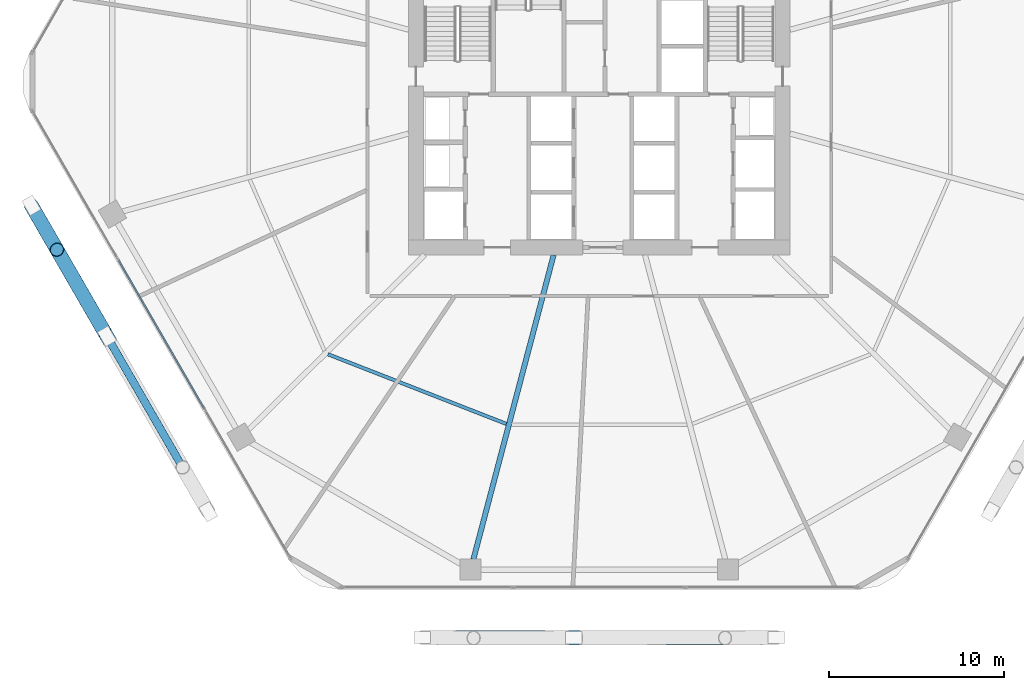
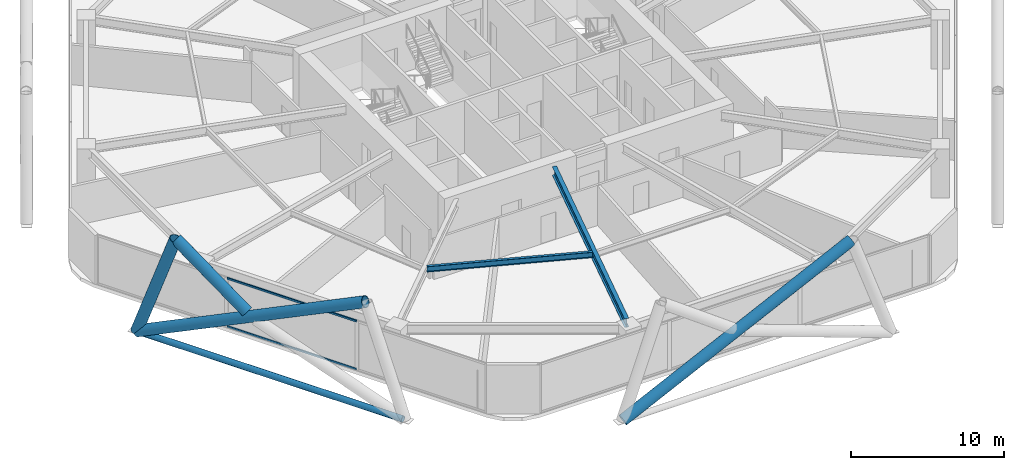
# One storey, part 4 of 29: 7 members, 2 beams, 1 element without a shape of its own.
"""IFC4 building model written with IfcOpenShell, lengths in metres."""

from ifc_helpers import new_model, si_unit, direction, frame, origin, origin_2d, place, context, subcontext, project, spatial, hollow_rectangle, hollow_circle, i_section, extrude, material, material_profile, profile_set, type_object, element, aggregate, save


model = new_model("IFC4")

# Units and contexts
model_context = context("Model", 3, precision=1e-05, world=origin(), true_north=direction((0.0, 1.0)))
body_context = subcontext(model_context, "Body", "Model", "MODEL_VIEW")
ifc_project = project(units=[si_unit("LENGTHUNIT", "METRE"), si_unit("AREAUNIT", "SQUARE_METRE"), si_unit("VOLUMEUNIT", "CUBIC_METRE"), si_unit("PLANEANGLEUNIT", "RADIAN"), si_unit("MASSUNIT", "GRAM", prefix="KILO")], contexts=[model_context])

# Site, building, storey
site_placement = place(None, origin())
site = spatial("IfcSite", under=ifc_project, at=site_placement, CompositionType="ELEMENT")
building_placement = place(site_placement, origin())
building = spatial("IfcBuilding", under=site, at=building_placement, Name="Zuhravey Tower", CompositionType="ELEMENT")
storey_placement = place(building_placement, frame((0.0, 0.0, 41.39990234375)))
storey = spatial("IfcBuildingStorey", under=building, at=storey_placement, Name="L10", CompositionType="ELEMENT", Elevation=41.39990234375)

# Curtain wall, members
ifc_material_1 = material(Name="Thermally broken anodised aluminium", Category="aluminium")
curtain_wall_type = type_object("IfcCurtainWallType", Name="School Low-E Unitised Curtain Wall CW1", PredefinedType="NOTDEFINED", material=ifc_material_1)
curtain_wall_placement = place(storey_placement, origin())
curtain_wall = element("IfcCurtainWall", 1, at=curtain_wall_placement, inside=storey, type_object=curtain_wall_type, Name="L10 CW1 CW-L10-F4-1", PredefinedType="NOTDEFINED")
ifc_material_2 = material(Name="Anodised aluminium", Category="aluminium")
ifc_material_profile_1 = material_profile(ifc_material_2, hollow_rectangle(XDim=0.090087890625, YDim=0.14990234375, WallThickness=0.0048828125, at=origin_2d()), Name="ALU-RHS-90x150x5")
ifc_profile_set_1 = profile_set([ifc_material_profile_1], Name="Anodised aluminium")
member_type_1 = type_object("IfcMemberType", Name="Curtain-Wall Transom 90x150", PredefinedType="USERDEFINED", material=ifc_profile_set_1)
member_1_placement = place(storey_placement, frame((13.365234375, 13.287353515625, 0.045166015625), z_axis=(-0.499990498062, 0.866030889661, 0.0), x_axis=(-0.866030889661, -0.499990498062, 0.0)))
member_1 = element("IfcMember", 2, at=member_1_placement, type_object=member_type_1, Name="CW1 transom 2.1", ObjectType="TRANSOM", PredefinedType="USERDEFINED", context=body_context, shape_type="SweptSolid", body=[
    extrude(hollow_rectangle(XDim=0.090087890625, YDim=0.14990234375, WallThickness=0.0048828125, at=origin_2d()), origin(), (0.0, 0.0, 1.0), 9.776611328125),
])
member_2_placement = place(storey_placement, frame((13.365234375, 13.287353515625, 3.875), z_axis=(-0.499990498062, 0.866030889661, 0.0), x_axis=(-0.866030889661, -0.499990498062, 0.0)))
member_2 = element("IfcMember", 3, at=member_2_placement, type_object=member_type_1, Name="CW1 transom 2.2", ObjectType="TRANSOM", PredefinedType="USERDEFINED", context=body_context, shape_type="SweptSolid", body=[
    extrude(hollow_rectangle(XDim=0.090087890625, YDim=0.14990234375, WallThickness=0.0048828125, at=origin_2d()), origin(), (0.0, 0.0, 1.0), 9.776611328125),
])
aggregate(curtain_wall, [member_1, member_2])

# Members
ifc_material_3 = material(Name="Steel SM355", Category="steel")
ifc_material_profile_2 = material_profile(ifc_material_3, hollow_circle(Radius=0.228515625, WallThickness=0.02197265625, at=origin_2d()), Name="CHS-457.2x22")
ifc_profile_set_2 = profile_set([ifc_material_profile_2], Name="Steel SM355")
member_type_2 = type_object("IfcMemberType", Name="Exoskeleton Ring Tie CHS457x22", PredefinedType="CHORD", material=ifc_profile_set_2)
member_3_placement = place(storey_placement, frame((3.53271484375, 24.79833984375, -0.493896484375), z_axis=(0.499987058157, -0.866032875632, 0.0), x_axis=(0.866032875632, 0.499987058157, 0.0)))
element("IfcMember", 4, at=member_3_placement, inside=storey, type_object=member_type_2, Name="L10 Exoskeleton Face 4 Tie EXR1", PredefinedType="CHORD", context=body_context, shape_type="SweptSolid", body=[
    extrude(hollow_circle(Radius=0.228515625, WallThickness=0.02197265625, at=origin_2d()), origin(), (0.0, 0.0, 1.0), 19.99365234375),
])
ifc_material_4 = material(Name="Steel SM460", Category="steel")
ifc_material_profile_3 = material_profile(ifc_material_4, hollow_circle(Radius=0.406494140625, WallThickness=0.035888671875, at=origin_2d()), Name="CHS-812.8x36")
ifc_profile_set_3 = profile_set([ifc_material_profile_3], Name="Steel SM460")
member_type_3 = type_object("IfcMemberType", Name="Exoskeleton Zone 1 Diagrid CHS813x36", PredefinedType="BRACE", material=ifc_profile_set_3)
member_4_placement = place(storey_placement, frame((3.466552734375, 24.912841796875, -0.471923828125), z_axis=(0.165307317227, -0.286358046605, 0.943754501984), x_axis=(0.866053660865, 0.499951054106, 0.0)))
element("IfcMember", 5, at=member_4_placement, inside=storey, type_object=member_type_3, Name="L10 Face 4 Diagrid Brace 1", PredefinedType="BRACE", context=body_context, shape_type="SweptSolid", body=[
    extrude(hollow_circle(Radius=0.406494140625, WallThickness=0.035888671875, at=origin_2d()), origin(), (0.0, 0.0, 1.0), 8.85400390625),
])
member_5_placement = place(storey_placement, frame((3.4853515625, 24.880126953125, -0.471923828125), z_axis=(0.449932637588, -0.779312332372, 0.436156978902), x_axis=(0.866027110715, 0.499997043497, 0.0)))
element("IfcMember", 6, at=member_5_placement, inside=storey, type_object=member_type_3, Name="L10 Face 4 Diagrid Brace 2", PredefinedType="BRACE", context=body_context, shape_type="SweptSolid", body=[
    extrude(hollow_circle(Radius=0.406494140625, WallThickness=0.035888671875, at=origin_2d()), origin(), (0.0, 0.0, 1.0), 19.158203125),
])
member_6_placement = place(storey_placement, frame((7.635498046875, 17.69189453125, 3.940673828125), z_axis=(-0.403092056741, 0.69816190232, 0.59168129254), x_axis=(-0.866021056018, -0.500007530476, 0.0)))
element("IfcMember", 7, at=member_6_placement, inside=storey, type_object=member_type_3, Name="L10 Face 4 Split Diagrid Brace 3B", PredefinedType="BRACE", context=body_context, shape_type="SweptSolid", body=[
    extrude(hollow_circle(Radius=0.406494140625, WallThickness=0.035888671875, at=origin_2d()), origin(), (0.0, 0.0, 1.0), 6.6513671875),
])
member_7_placement = place(storey_placement, frame((25.90869140625, 0.161376953125, -0.471923828125), z_axis=(0.899868496349, -0.00155470525, 0.436158540177), x_axis=(0.001727700143, 0.999998507525, 0.0)))
element("IfcMember", 8, at=member_7_placement, inside=storey, type_object=member_type_3, Name="L10 Face 5 Diagrid Brace 2", PredefinedType="BRACE", context=body_context, shape_type="SweptSolid", body=[
    extrude(hollow_circle(Radius=0.406494140625, WallThickness=0.035888671875, at=origin_2d()), origin(), (0.0, 0.0, 1.0), 19.157958984375),
])

# Beams
ifc_material_profile_4 = material_profile(ifc_material_3, i_section(OverallWidth=0.300048828125, OverallDepth=0.699951171875, WebThickness=0.012939453125, FlangeThickness=0.02392578125, at=origin_2d()), Name="H-700x300x13x24")
ifc_profile_set_4 = profile_set([ifc_material_profile_4], Name="Steel SM355")
beam_type_1 = type_object("IfcBeamType", Name="Radial Primary Girder H700x300", PredefinedType="BEAM", material=ifc_profile_set_4)
beam_1_placement = place(storey_placement, frame((33.382080078125, 22.072021484375, 3.570068359375), z_axis=(-0.254989720435, -0.966943763862, 0.0), x_axis=(0.966943763862, -0.254989720435, 0.0)))
element("IfcBeam", 9, at=beam_1_placement, inside=storey, type_object=beam_type_1, Name="L10 RG1 BM-L10-RAD-09", PredefinedType="BEAM", context=body_context, shape_type="SweptSolid", body=[
    extrude(i_section(OverallWidth=0.300048828125, OverallDepth=0.699951171875, WebThickness=0.012939453125, FlangeThickness=0.02392578125, at=origin_2d()), origin(), (0.0, 0.0, 1.0), 18.03369140625),
])
ifc_material_profile_5 = material_profile(ifc_material_3, i_section(OverallWidth=0.199951171875, OverallDepth=0.449951171875, WebThickness=0.009033203125, FlangeThickness=0.013916015625, at=origin_2d()), Name="H-450x200x9x14")
ifc_profile_set_5 = profile_set([ifc_material_profile_5], Name="Steel SM355")
beam_type_2 = type_object("IfcBeamType", Name="Secondary Floor Joist H450x200", PredefinedType="JOIST", material=ifc_profile_set_5)
beam_2_placement = place(storey_placement, frame((20.4599609375, 16.38427734375, 3.695068359375), z_axis=(0.931516535886, -0.363698973562, 0.0), x_axis=(0.363698973562, 0.931516535886, 0.0)))
element("IfcBeam", 10, at=beam_2_placement, inside=storey, type_object=beam_type_2, Name="L10 SJ1 BM-L10-SJ-08-1", PredefinedType="JOIST", context=body_context, shape_type="SweptSolid", body=[
    extrude(i_section(OverallWidth=0.199951171875, OverallDepth=0.449951171875, WebThickness=0.009033203125, FlangeThickness=0.013916015625, at=origin_2d()), origin(), (0.0, 0.0, 1.0), 10.963134765625),
])

save(model, "model.ifc")
